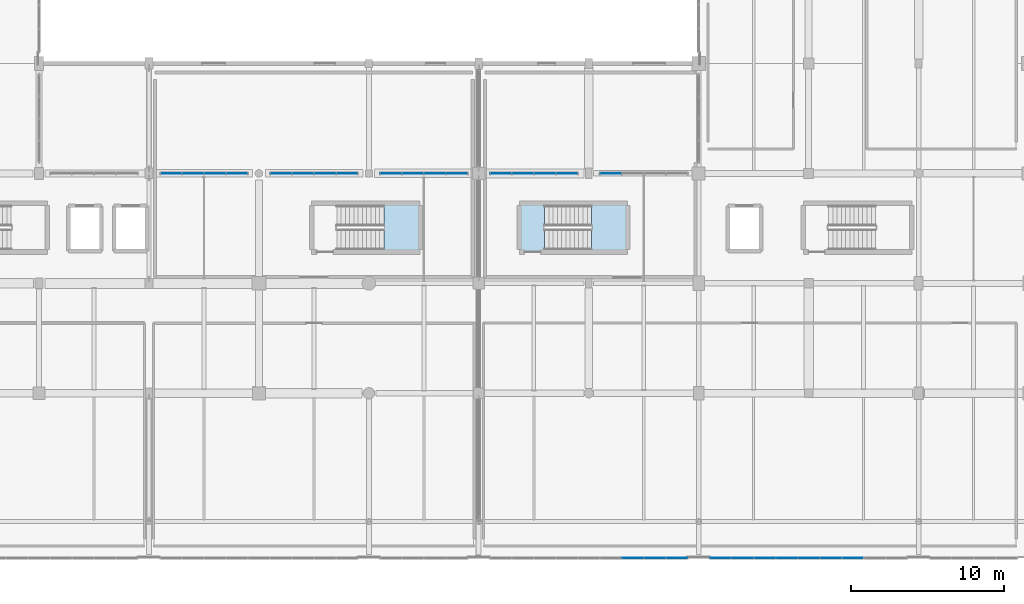
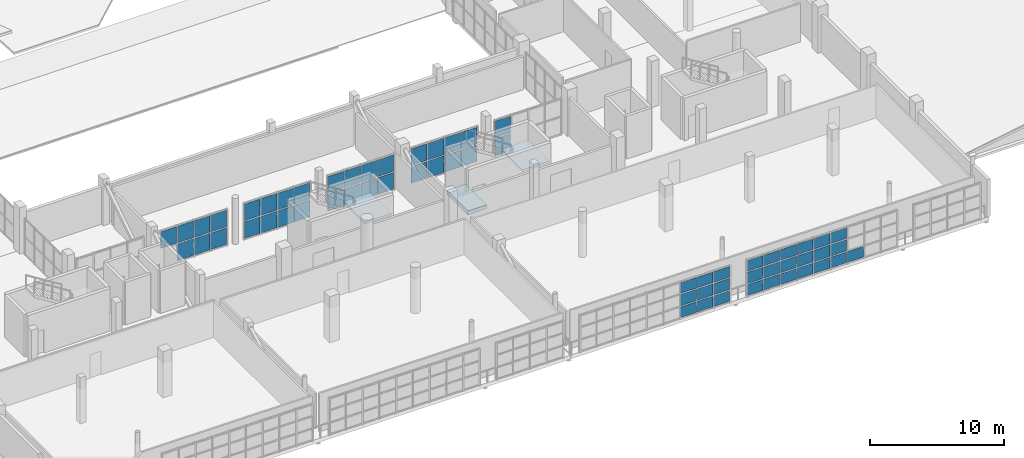
# One storey, part 51 of 90: 61 plates, 3 slabs, 9 elements without a shape of their own.
"""IFC4 building model written with IfcOpenShell, lengths in metres."""

import ifcopenshell
import ifcopenshell.guid

model = None  # the IFC model being written
_history = None  # IfcOwnerHistory: only IFC2X3 demands one
_inside = {}  # id of a spatial element -> (the spatial element, [elements in it])
_under = {}  # id of a project, library or spatial element -> (it, [spatial elements below it])
_declared = {}  # id of a project -> (the project, [libraries it declares])
_typed = {}  # id of a type object -> (the type object, [elements of that type])
_made_of = {}  # id of a material, layer set ... -> (it, [elements and type objects made of it])


def new_model(schema):
    """Start an empty IFC model of exactly this schema.

    Asked for "IFC4X3", IfcOpenShell would pick the latest addendum, in which some entities
    have other attributes; the version numbers below select the first issue.
    IFC2X3 requires an IfcOwnerHistory on every rooted entity: one is made here for all.
    """
    global model, _history
    if schema == "IFC4X3":
        model = ifcopenshell.file(schema_version=(4, 3, 0, 0))
    else:
        model = ifcopenshell.file(schema=schema)
    _inside.clear()
    _under.clear()
    _declared.clear()
    _typed.clear()
    _made_of.clear()
    _history = None
    if model.schema == "IFC2X3":
        org = make("IfcOrganization", Name="unknown")
        user = make(
            "IfcPersonAndOrganization",
            ThePerson=make("IfcPerson", FamilyName="unknown"),
            TheOrganization=org,
        )
        app = make(
            "IfcApplication",
            ApplicationDeveloper=org,
            Version="unknown",
            ApplicationFullName="unknown",
            ApplicationIdentifier="unknown",
        )
        _history = make(
            "IfcOwnerHistory",
            OwningUser=user,
            OwningApplication=app,
            ChangeAction="ADDED",
            CreationDate=0,
        )
    return model


def make(cls, **values):
    """One entity of the class cls with the attributes given. An attribute that is None is left unset."""
    return model.create_entity(
        cls, **{name: value for name, value in values.items() if value is not None}
    )


def rooted(cls, **values):
    """An entity with a GlobalId (a new one), such as an element, a storey or a relation."""
    return make(cls, GlobalId=ifcopenshell.guid.new(), OwnerHistory=_history, **values)


def si_unit(unit_type, name, prefix=None):
    """IfcSIUnit, for example si_unit("LENGTHUNIT", "METRE", prefix="MILLI")."""
    return make("IfcSIUnit", UnitType=unit_type, Prefix=prefix, Name=name)


def assignment(units):
    """IfcUnitAssignment: the units of a project."""
    return None if units is None else make("IfcUnitAssignment", Units=units)


def point(xyz):
    """IfcCartesianPoint."""
    return None if xyz is None else make("IfcCartesianPoint", Coordinates=xyz)


def direction(xyz):
    """IfcDirection."""
    return None if xyz is None else make("IfcDirection", DirectionRatios=xyz)


def frame(location, z_axis=None, x_axis=None):
    """IfcAxis2Placement3D, a coordinate frame: its origin and axes. An axis left out is left unset."""
    return make(
        "IfcAxis2Placement3D",
        Location=point(location),
        Axis=direction(z_axis),
        RefDirection=direction(x_axis),
    )


def frame_2d(location, x_axis=None):
    """IfcAxis2Placement2D, a coordinate frame in the plane: its origin and x axis."""
    return make(
        "IfcAxis2Placement2D", Location=point(location), RefDirection=direction(x_axis)
    )


def origin():
    """The frame at (0, 0, 0) with its axes left unset."""
    return frame((0.0, 0.0, 0.0))


def origin_2d():
    """The frame at (0, 0) in the plane with its x axis left unset."""
    return frame_2d((0.0, 0.0))


def place(relative_to, where):
    """IfcLocalPlacement: puts the frame where relative to a parent placement (None: the world)."""
    return make(
        "IfcLocalPlacement", PlacementRelTo=relative_to, RelativePlacement=where
    )


def context(
    kind, dimensions, precision=None, world=None, true_north=None, identifier=None
):
    """IfcGeometricRepresentationContext, for example the 3D "Model" context."""
    return make(
        "IfcGeometricRepresentationContext",
        ContextIdentifier=identifier,
        ContextType=kind,
        CoordinateSpaceDimension=dimensions,
        Precision=precision,
        WorldCoordinateSystem=world,
        TrueNorth=true_north,
    )


def subcontext(parent, identifier, kind, view, scale=None):
    """IfcGeometricRepresentationSubContext, for example "Body" below "Model"."""
    return make(
        "IfcGeometricRepresentationSubContext",
        ContextIdentifier=identifier,
        ContextType=kind,
        ParentContext=parent,
        TargetScale=scale,
        TargetView=view,
    )


def project(units=None, contexts=None):
    """IfcProject with its units and contexts."""
    return rooted(
        "IfcProject",
        Name="project",
        RepresentationContexts=contexts,
        UnitsInContext=assignment(units),
    )


def spatial(cls, under=None, at=None, **own):
    """A site, building, storey or space (cls), placed at a placement, below another one or the project."""
    s = rooted(cls, ObjectPlacement=at, **own)
    if under is not None:
        _under.setdefault(under.id(), (under, []))[1].append(s)
    return s


def polyline(points):
    """IfcPolyline through the points."""
    return make("IfcPolyline", Points=[point(p) for p in points])


def profile(cls, at=None, kind="AREA", **sizes):
    """A parametric profile (cls). Its sizes go by their IFC names, for example OverallWidth=200.0."""
    return make(cls, ProfileType=kind, Position=at, **sizes)


def rectangle(**sizes):
    """IfcRectangleProfileDef."""
    return profile("IfcRectangleProfileDef", **sizes)


def outline(outer, holes=None, kind="AREA"):
    """IfcArbitraryClosedProfileDef: a profile drawn as a closed curve; with holes, ...WithVoids."""
    if holes is None:
        return make("IfcArbitraryClosedProfileDef", ProfileType=kind, OuterCurve=outer)
    return make(
        "IfcArbitraryProfileDefWithVoids",
        ProfileType=kind,
        OuterCurve=outer,
        InnerCurves=holes,
    )


def extrude(swept, where, along, depth):
    """IfcExtrudedAreaSolid: the profile swept, set in the frame where, extruded along a direction by depth."""
    return make(
        "IfcExtrudedAreaSolid",
        SweptArea=swept,
        Position=where,
        ExtrudedDirection=direction(along),
        Depth=depth,
    )


def shape(context_of_items, identifier, shape_type, items):
    """IfcShapeRepresentation: the items that make up one representation, for example the "Body"."""
    return make(
        "IfcShapeRepresentation",
        ContextOfItems=context_of_items,
        RepresentationIdentifier=identifier,
        RepresentationType=shape_type,
        Items=items,
    )


def material(Name=None, Category=None):
    """IfcMaterial."""
    return make("IfcMaterial", Name=Name, Category=Category)


def layer(
    of_material, thickness, ventilated=None, Name=None, Category=None, Priority=None
):
    """IfcMaterialLayer: one layer of a wall or slab, of a material (None: an air gap)."""
    return make(
        "IfcMaterialLayer",
        Material=of_material,
        LayerThickness=thickness,
        IsVentilated=ventilated,
        Name=Name,
        Category=Category,
        Priority=Priority,
    )


def layer_set(layers, Name=None):
    """IfcMaterialLayerSet."""
    return make("IfcMaterialLayerSet", MaterialLayers=layers, LayerSetName=Name)


def made_of(thing, what):
    """Note that an element or type object is made of a material, layer set ...; save() writes the relation."""
    if what is not None:
        _made_of.setdefault(what.id(), (what, []))[1].append(thing)
    return thing


def type_object(cls, material=None, **own):
    """A type object (cls), such as IfcWallType, which elements share."""
    return made_of(rooted(cls, **own), material)


def element(
    cls,
    number,
    at=None,
    inside=None,
    cuts=None,
    type_object=None,
    material=None,
    context=None,
    identifier="Body",
    shape_type=None,
    held_by="IfcProductDefinitionShape",
    body=None,
    shapes=None,
    **own,
):
    """One element of the class cls, such as IfcWall. Its Tag is "e" and its number.

    at: its placement. inside: the storey or other place that contains it. cuts: it is an
    opening in that element (IfcRelVoidsElement). A single representation is given by context,
    identifier, shape_type and body (its items); several are given by shapes. held_by: the class
    of the entity that holds the representations. save() writes the other relations.
    """
    e = rooted(cls, Tag="e%d" % number, ObjectPlacement=at, **own)
    if body is not None:
        shapes = [shape(context, identifier, shape_type, body)]
    if shapes is not None:
        e.Representation = make(held_by, Representations=shapes)
    if inside is not None:
        _inside.setdefault(inside.id(), (inside, []))[1].append(e)
    if cuts is not None:
        rooted(
            "IfcRelVoidsElement", RelatingBuildingElement=cuts, RelatedOpeningElement=e
        )
    if type_object is not None:
        _typed.setdefault(type_object.id(), (type_object, []))[1].append(e)
    return made_of(e, material)


def aggregate(whole, parts):
    """IfcRelAggregates: a whole, such as a stair, and the parts it consists of."""
    return rooted("IfcRelAggregates", RelatingObject=whole, RelatedObjects=parts)


def save(model, path):
    """Write the relations noted so far, then the file.

    IfcRelAggregates (storeys below a building ...), IfcRelContainedInSpatialStructure (elements
    in a storey), IfcRelDefinesByType, IfcRelAssociatesMaterial and IfcRelDeclares: one each for
    every whole, place, type object, material and project.
    """
    for whole, parts in _under.values():
        aggregate(whole, parts)
    for where, things in _inside.values():
        rooted(
            "IfcRelContainedInSpatialStructure",
            RelatedElements=things,
            RelatingStructure=where,
        )
    for kind, things in _typed.values():
        rooted("IfcRelDefinesByType", RelatedObjects=things, RelatingType=kind)
    for what, things in _made_of.values():
        rooted("IfcRelAssociatesMaterial", RelatedObjects=things, RelatingMaterial=what)
    for by, libraries in _declared.values():
        rooted("IfcRelDeclares", RelatingContext=by, RelatedDefinitions=libraries)
    model.write(path)


model = new_model("IFC4")

# Units and contexts
model_context = context("Model", 3, precision=1e-05, world=origin(), true_north=direction((0.0, 1.0)))
body_context = subcontext(model_context, "Body", "Model", "MODEL_VIEW")
ifc_project = project(units=[si_unit("LENGTHUNIT", "METRE"), si_unit("AREAUNIT", "SQUARE_METRE"), si_unit("VOLUMEUNIT", "CUBIC_METRE"), si_unit("PLANEANGLEUNIT", "RADIAN"), si_unit("MASSUNIT", "GRAM", prefix="KILO")], contexts=[model_context])

# Site, building, storey
site_placement = place(None, origin())
site = spatial("IfcSite", under=ifc_project, at=site_placement, CompositionType="ELEMENT")
building_placement = place(site_placement, origin())
building = spatial("IfcBuilding", under=site, at=building_placement, Name="Solanera Park Tramway Depot", CompositionType="ELEMENT")
storey_placement = place(building_placement, frame((0.0, 0.0, 9.0)))
storey = spatial("IfcBuildingStorey", under=building, at=storey_placement, Name="L02", CompositionType="ELEMENT", Elevation=9.0)

# Curtain wall, plates
ifc_material_1 = material(Name="Bronze-anodised thermally broken aluminium curtain wall", Category="aluminium")
curtain_wall_type_1 = type_object("IfcCurtainWallType", Name="Courtyard Cloister Unitised Curtain Wall", PredefinedType="NOTDEFINED", material=ifc_material_1)
curtain_wall_1_placement = place(storey_placement, origin())
curtain_wall_1 = element("IfcCurtainWall", 1, at=curtain_wall_1_placement, inside=storey, type_object=curtain_wall_type_1, Name="L02 Courtyard Cloister Unitised Curtain Wall #105", PredefinedType="NOTDEFINED")
ifc_material_2 = material(Name="Low-E laminated solar-control double glazing", Category="glass")
ifc_layer_1 = layer(ifc_material_2, 0.028076171875)
ifc_layer_set_1 = layer_set([ifc_layer_1], Name="Low-E laminated solar-control double glazing")
plate_type = type_object("IfcPlateType", Name="Curtain Wall Double Glazing Panel 28", PredefinedType="CURTAIN_PANEL", material=ifc_layer_set_1)
plate_1_placement = place(storey_placement, frame((132.47509765625, 25.199951171875, 0.11181640625), z_axis=(0.0, 0.0, 1.0), x_axis=(1.0, 0.0, 0.0)))
plate_1 = element("IfcPlate", 2, at=plate_1_placement, type_object=plate_type, Name="CW-L02-105 Glazing Panel R1.C2", PredefinedType="CURTAIN_PANEL", context=body_context, shape_type="SweptSolid", body=[
    extrude(rectangle(XDim=1.39794921875, YDim=0.028076171875, at=origin_2d()), origin(), (0.0, 0.0, 1.0), 1.510986328125),
])
plate_2_placement = place(storey_placement, frame((133.925048828125, 25.199951171875, 0.11181640625), z_axis=(0.0, 0.0, 1.0), x_axis=(1.0, 0.0, 0.0)))
plate_2 = element("IfcPlate", 3, at=plate_2_placement, type_object=plate_type, Name="CW-L02-105 Glazing Panel R1.C3", PredefinedType="CURTAIN_PANEL", context=body_context, shape_type="SweptSolid", body=[
    extrude(rectangle(XDim=1.39794921875, YDim=0.028076171875, at=origin_2d()), origin(), (0.0, 0.0, 1.0), 1.510986328125),
])
plate_3_placement = place(storey_placement, frame((135.358642578125, 25.199951171875, 0.11181640625), z_axis=(0.0, 0.0, 1.0), x_axis=(1.0, 0.0, 0.0)))
plate_3 = element("IfcPlate", 4, at=plate_3_placement, type_object=plate_type, Name="CW-L02-105 Glazing Panel R1.C4", PredefinedType="CURTAIN_PANEL", context=body_context, shape_type="SweptSolid", body=[
    extrude(rectangle(XDim=1.365478515625, YDim=0.028076171875, at=origin_2d()), origin(), (0.0, 0.0, 1.0), 1.510986328125),
])
plate_4_placement = place(storey_placement, frame((131.041259765625, 25.199951171875, 1.72705078125), z_axis=(0.0, 0.0, 1.0), x_axis=(1.0, 0.0, 0.0)))
plate_4 = element("IfcPlate", 5, at=plate_4_placement, type_object=plate_type, Name="CW-L02-105 Glazing Panel R2.C1", PredefinedType="CURTAIN_PANEL", context=body_context, shape_type="SweptSolid", body=[
    extrude(rectangle(XDim=1.365478515625, YDim=0.028076171875, at=origin_2d()), origin(), (0.0, 0.0, 1.0), 1.510986328125),
])
plate_5_placement = place(storey_placement, frame((132.47509765625, 25.199951171875, 1.72705078125), z_axis=(0.0, 0.0, 1.0), x_axis=(1.0, 0.0, 0.0)))
plate_5 = element("IfcPlate", 6, at=plate_5_placement, type_object=plate_type, Name="CW-L02-105 Glazing Panel R2.C2", PredefinedType="CURTAIN_PANEL", context=body_context, shape_type="SweptSolid", body=[
    extrude(rectangle(XDim=1.39794921875, YDim=0.028076171875, at=origin_2d()), origin(), (0.0, 0.0, 1.0), 1.510986328125),
])
plate_6_placement = place(storey_placement, frame((133.925048828125, 25.199951171875, 1.72705078125), z_axis=(0.0, 0.0, 1.0), x_axis=(1.0, 0.0, 0.0)))
plate_6 = element("IfcPlate", 7, at=plate_6_placement, type_object=plate_type, Name="CW-L02-105 Glazing Panel R2.C3", PredefinedType="CURTAIN_PANEL", context=body_context, shape_type="SweptSolid", body=[
    extrude(rectangle(XDim=1.39794921875, YDim=0.028076171875, at=origin_2d()), origin(), (0.0, 0.0, 1.0), 1.510986328125),
])
plate_7_placement = place(storey_placement, frame((135.358642578125, 25.199951171875, 1.72705078125), z_axis=(0.0, 0.0, 1.0), x_axis=(1.0, 0.0, 0.0)))
plate_7 = element("IfcPlate", 8, at=plate_7_placement, type_object=plate_type, Name="CW-L02-105 Glazing Panel R2.C4", PredefinedType="CURTAIN_PANEL", context=body_context, shape_type="SweptSolid", body=[
    extrude(rectangle(XDim=1.365478515625, YDim=0.028076171875, at=origin_2d()), origin(), (0.0, 0.0, 1.0), 1.510986328125),
])
aggregate(curtain_wall_1, [plate_1, plate_2, plate_3, plate_4, plate_5, plate_6, plate_7])

curtain_wall_2_placement = place(storey_placement, origin())
curtain_wall_2 = element("IfcCurtainWall", 9, at=curtain_wall_2_placement, inside=storey, type_object=curtain_wall_type_1, Name="L02 Courtyard Cloister Unitised Curtain Wall #106", PredefinedType="NOTDEFINED")
plate_8_placement = place(storey_placement, frame((138.2412109375, 25.199951171875, 0.11181640625), z_axis=(0.0, 0.0, 1.0), x_axis=(1.0, 0.0, 0.0)))
plate_8 = element("IfcPlate", 10, at=plate_8_placement, type_object=plate_type, Name="CW-L02-106 Glazing Panel R1.C1", PredefinedType="CURTAIN_PANEL", context=body_context, shape_type="SweptSolid", body=[
    extrude(rectangle(XDim=1.365478515625, YDim=0.028076171875, at=origin_2d()), origin(), (0.0, 0.0, 1.0), 1.510986328125),
])
plate_9_placement = place(storey_placement, frame((139.675048828125, 25.199951171875, 0.11181640625), z_axis=(0.0, 0.0, 1.0), x_axis=(1.0, 0.0, 0.0)))
plate_9 = element("IfcPlate", 11, at=plate_9_placement, type_object=plate_type, Name="CW-L02-106 Glazing Panel R1.C2", PredefinedType="CURTAIN_PANEL", context=body_context, shape_type="SweptSolid", body=[
    extrude(rectangle(XDim=1.39794921875, YDim=0.028076171875, at=origin_2d()), origin(), (0.0, 0.0, 1.0), 1.510986328125),
])
plate_10_placement = place(storey_placement, frame((141.125, 25.199951171875, 0.11181640625), z_axis=(0.0, 0.0, 1.0), x_axis=(1.0, 0.0, 0.0)))
plate_10 = element("IfcPlate", 12, at=plate_10_placement, type_object=plate_type, Name="CW-L02-106 Glazing Panel R1.C3", PredefinedType="CURTAIN_PANEL", context=body_context, shape_type="SweptSolid", body=[
    extrude(rectangle(XDim=1.39794921875, YDim=0.028076171875, at=origin_2d()), origin(), (0.0, 0.0, 1.0), 1.510986328125),
])
plate_11_placement = place(storey_placement, frame((142.558837890625, 25.199951171875, 0.11181640625), z_axis=(0.0, 0.0, 1.0), x_axis=(1.0, 0.0, 0.0)))
plate_11 = element("IfcPlate", 13, at=plate_11_placement, type_object=plate_type, Name="CW-L02-106 Glazing Panel R1.C4", PredefinedType="CURTAIN_PANEL", context=body_context, shape_type="SweptSolid", body=[
    extrude(rectangle(XDim=1.365478515625, YDim=0.028076171875, at=origin_2d()), origin(), (0.0, 0.0, 1.0), 1.510986328125),
])
plate_12_placement = place(storey_placement, frame((138.2412109375, 25.199951171875, 1.72705078125), z_axis=(0.0, 0.0, 1.0), x_axis=(1.0, 0.0, 0.0)))
plate_12 = element("IfcPlate", 14, at=plate_12_placement, type_object=plate_type, Name="CW-L02-106 Glazing Panel R2.C1", PredefinedType="CURTAIN_PANEL", context=body_context, shape_type="SweptSolid", body=[
    extrude(rectangle(XDim=1.365478515625, YDim=0.028076171875, at=origin_2d()), origin(), (0.0, 0.0, 1.0), 1.510986328125),
])
plate_13_placement = place(storey_placement, frame((139.675048828125, 25.199951171875, 1.72705078125), z_axis=(0.0, 0.0, 1.0), x_axis=(1.0, 0.0, 0.0)))
plate_13 = element("IfcPlate", 15, at=plate_13_placement, type_object=plate_type, Name="CW-L02-106 Glazing Panel R2.C2", PredefinedType="CURTAIN_PANEL", context=body_context, shape_type="SweptSolid", body=[
    extrude(rectangle(XDim=1.39794921875, YDim=0.028076171875, at=origin_2d()), origin(), (0.0, 0.0, 1.0), 1.510986328125),
])
plate_14_placement = place(storey_placement, frame((141.125, 25.199951171875, 1.72705078125), z_axis=(0.0, 0.0, 1.0), x_axis=(1.0, 0.0, 0.0)))
plate_14 = element("IfcPlate", 16, at=plate_14_placement, type_object=plate_type, Name="CW-L02-106 Glazing Panel R2.C3", PredefinedType="CURTAIN_PANEL", context=body_context, shape_type="SweptSolid", body=[
    extrude(rectangle(XDim=1.39794921875, YDim=0.028076171875, at=origin_2d()), origin(), (0.0, 0.0, 1.0), 1.510986328125),
])
plate_15_placement = place(storey_placement, frame((142.558837890625, 25.199951171875, 1.72705078125), z_axis=(0.0, 0.0, 1.0), x_axis=(1.0, 0.0, 0.0)))
plate_15 = element("IfcPlate", 17, at=plate_15_placement, type_object=plate_type, Name="CW-L02-106 Glazing Panel R2.C4", PredefinedType="CURTAIN_PANEL", context=body_context, shape_type="SweptSolid", body=[
    extrude(rectangle(XDim=1.365478515625, YDim=0.028076171875, at=origin_2d()), origin(), (0.0, 0.0, 1.0), 1.510986328125),
])
aggregate(curtain_wall_2, [plate_8, plate_9, plate_10, plate_11, plate_12, plate_13, plate_14, plate_15])

curtain_wall_3_placement = place(storey_placement, origin())
curtain_wall_3 = element("IfcCurtainWall", 18, at=curtain_wall_3_placement, inside=storey, type_object=curtain_wall_type_1, Name="L02 Courtyard Cloister Unitised Curtain Wall #107", PredefinedType="NOTDEFINED")
plate_16_placement = place(storey_placement, frame((145.441162109375, 25.199951171875, 0.11181640625), z_axis=(0.0, 0.0, 1.0), x_axis=(1.0, 0.0, 0.0)))
plate_16 = element("IfcPlate", 19, at=plate_16_placement, type_object=plate_type, Name="CW-L02-107 Glazing Panel R1.C1", PredefinedType="CURTAIN_PANEL", context=body_context, shape_type="SweptSolid", body=[
    extrude(rectangle(XDim=1.365478515625, YDim=0.028076171875, at=origin_2d()), origin(), (0.0, 0.0, 1.0), 1.510986328125),
])
plate_17_placement = place(storey_placement, frame((146.875, 25.199951171875, 0.11181640625), z_axis=(0.0, 0.0, 1.0), x_axis=(1.0, 0.0, 0.0)))
plate_17 = element("IfcPlate", 20, at=plate_17_placement, type_object=plate_type, Name="CW-L02-107 Glazing Panel R1.C2", PredefinedType="CURTAIN_PANEL", context=body_context, shape_type="SweptSolid", body=[
    extrude(rectangle(XDim=1.39794921875, YDim=0.028076171875, at=origin_2d()), origin(), (0.0, 0.0, 1.0), 1.510986328125),
])
plate_18_placement = place(storey_placement, frame((148.324951171875, 25.199951171875, 0.11181640625), z_axis=(0.0, 0.0, 1.0), x_axis=(1.0, 0.0, 0.0)))
plate_18 = element("IfcPlate", 21, at=plate_18_placement, type_object=plate_type, Name="CW-L02-107 Glazing Panel R1.C3", PredefinedType="CURTAIN_PANEL", context=body_context, shape_type="SweptSolid", body=[
    extrude(rectangle(XDim=1.39794921875, YDim=0.028076171875, at=origin_2d()), origin(), (0.0, 0.0, 1.0), 1.510986328125),
])
plate_19_placement = place(storey_placement, frame((149.7587890625, 25.199951171875, 0.11181640625), z_axis=(0.0, 0.0, 1.0), x_axis=(1.0, 0.0, 0.0)))
plate_19 = element("IfcPlate", 22, at=plate_19_placement, type_object=plate_type, Name="CW-L02-107 Glazing Panel R1.C4", PredefinedType="CURTAIN_PANEL", context=body_context, shape_type="SweptSolid", body=[
    extrude(rectangle(XDim=1.365478515625, YDim=0.028076171875, at=origin_2d()), origin(), (0.0, 0.0, 1.0), 1.510986328125),
])
plate_20_placement = place(storey_placement, frame((145.441162109375, 25.199951171875, 1.72705078125), z_axis=(0.0, 0.0, 1.0), x_axis=(1.0, 0.0, 0.0)))
plate_20 = element("IfcPlate", 23, at=plate_20_placement, type_object=plate_type, Name="CW-L02-107 Glazing Panel R2.C1", PredefinedType="CURTAIN_PANEL", context=body_context, shape_type="SweptSolid", body=[
    extrude(rectangle(XDim=1.365478515625, YDim=0.028076171875, at=origin_2d()), origin(), (0.0, 0.0, 1.0), 1.510986328125),
])
plate_21_placement = place(storey_placement, frame((146.875, 25.199951171875, 1.72705078125), z_axis=(0.0, 0.0, 1.0), x_axis=(1.0, 0.0, 0.0)))
plate_21 = element("IfcPlate", 24, at=plate_21_placement, type_object=plate_type, Name="CW-L02-107 Glazing Panel R2.C2", PredefinedType="CURTAIN_PANEL", context=body_context, shape_type="SweptSolid", body=[
    extrude(rectangle(XDim=1.39794921875, YDim=0.028076171875, at=origin_2d()), origin(), (0.0, 0.0, 1.0), 1.510986328125),
])
plate_22_placement = place(storey_placement, frame((148.324951171875, 25.199951171875, 1.72705078125), z_axis=(0.0, 0.0, 1.0), x_axis=(1.0, 0.0, 0.0)))
plate_22 = element("IfcPlate", 25, at=plate_22_placement, type_object=plate_type, Name="CW-L02-107 Glazing Panel R2.C3", PredefinedType="CURTAIN_PANEL", context=body_context, shape_type="SweptSolid", body=[
    extrude(rectangle(XDim=1.39794921875, YDim=0.028076171875, at=origin_2d()), origin(), (0.0, 0.0, 1.0), 1.510986328125),
])
plate_23_placement = place(storey_placement, frame((149.7587890625, 25.199951171875, 1.72705078125), z_axis=(0.0, 0.0, 1.0), x_axis=(1.0, 0.0, 0.0)))
plate_23 = element("IfcPlate", 26, at=plate_23_placement, type_object=plate_type, Name="CW-L02-107 Glazing Panel R2.C4", PredefinedType="CURTAIN_PANEL", context=body_context, shape_type="SweptSolid", body=[
    extrude(rectangle(XDim=1.365478515625, YDim=0.028076171875, at=origin_2d()), origin(), (0.0, 0.0, 1.0), 1.510986328125),
])
aggregate(curtain_wall_3, [plate_16, plate_17, plate_18, plate_19, plate_20, plate_21, plate_22, plate_23])

curtain_wall_4_placement = place(storey_placement, origin())
curtain_wall_4 = element("IfcCurtainWall", 27, at=curtain_wall_4_placement, inside=storey, type_object=curtain_wall_type_1, Name="L02 Courtyard Cloister Unitised Curtain Wall #108", PredefinedType="NOTDEFINED")
plate_24_placement = place(storey_placement, frame((152.641357421875, 25.199951171875, 0.11181640625), z_axis=(0.0, 0.0, 1.0), x_axis=(1.0, 0.0, 0.0)))
plate_24 = element("IfcPlate", 28, at=plate_24_placement, type_object=plate_type, Name="CW-L02-108 Glazing Panel R1.C1", PredefinedType="CURTAIN_PANEL", context=body_context, shape_type="SweptSolid", body=[
    extrude(rectangle(XDim=1.365478515625, YDim=0.028076171875, at=origin_2d()), origin(), (0.0, 0.0, 1.0), 1.510986328125),
])
plate_25_placement = place(storey_placement, frame((154.074951171875, 25.199951171875, 0.11181640625), z_axis=(0.0, 0.0, 1.0), x_axis=(1.0, 0.0, 0.0)))
plate_25 = element("IfcPlate", 29, at=plate_25_placement, type_object=plate_type, Name="CW-L02-108 Glazing Panel R1.C2", PredefinedType="CURTAIN_PANEL", context=body_context, shape_type="SweptSolid", body=[
    extrude(rectangle(XDim=1.39794921875, YDim=0.028076171875, at=origin_2d()), origin(), (0.0, 0.0, 1.0), 1.510986328125),
])
plate_26_placement = place(storey_placement, frame((155.52490234375, 25.199951171875, 0.11181640625), z_axis=(0.0, 0.0, 1.0), x_axis=(1.0, 0.0, 0.0)))
plate_26 = element("IfcPlate", 30, at=plate_26_placement, type_object=plate_type, Name="CW-L02-108 Glazing Panel R1.C3", PredefinedType="CURTAIN_PANEL", context=body_context, shape_type="SweptSolid", body=[
    extrude(rectangle(XDim=1.39794921875, YDim=0.028076171875, at=origin_2d()), origin(), (0.0, 0.0, 1.0), 1.510986328125),
])
plate_27_placement = place(storey_placement, frame((156.958740234375, 25.199951171875, 0.11181640625), z_axis=(0.0, 0.0, 1.0), x_axis=(1.0, 0.0, 0.0)))
plate_27 = element("IfcPlate", 31, at=plate_27_placement, type_object=plate_type, Name="CW-L02-108 Glazing Panel R1.C4", PredefinedType="CURTAIN_PANEL", context=body_context, shape_type="SweptSolid", body=[
    extrude(rectangle(XDim=1.365478515625, YDim=0.028076171875, at=origin_2d()), origin(), (0.0, 0.0, 1.0), 1.510986328125),
])
plate_28_placement = place(storey_placement, frame((152.641357421875, 25.199951171875, 1.72705078125), z_axis=(0.0, 0.0, 1.0), x_axis=(1.0, 0.0, 0.0)))
plate_28 = element("IfcPlate", 32, at=plate_28_placement, type_object=plate_type, Name="CW-L02-108 Glazing Panel R2.C1", PredefinedType="CURTAIN_PANEL", context=body_context, shape_type="SweptSolid", body=[
    extrude(rectangle(XDim=1.365478515625, YDim=0.028076171875, at=origin_2d()), origin(), (0.0, 0.0, 1.0), 1.510986328125),
])
plate_29_placement = place(storey_placement, frame((154.074951171875, 25.199951171875, 1.72705078125), z_axis=(0.0, 0.0, 1.0), x_axis=(1.0, 0.0, 0.0)))
plate_29 = element("IfcPlate", 33, at=plate_29_placement, type_object=plate_type, Name="CW-L02-108 Glazing Panel R2.C2", PredefinedType="CURTAIN_PANEL", context=body_context, shape_type="SweptSolid", body=[
    extrude(rectangle(XDim=1.39794921875, YDim=0.028076171875, at=origin_2d()), origin(), (0.0, 0.0, 1.0), 1.510986328125),
])
plate_30_placement = place(storey_placement, frame((155.52490234375, 25.199951171875, 1.72705078125), z_axis=(0.0, 0.0, 1.0), x_axis=(1.0, 0.0, 0.0)))
plate_30 = element("IfcPlate", 34, at=plate_30_placement, type_object=plate_type, Name="CW-L02-108 Glazing Panel R2.C3", PredefinedType="CURTAIN_PANEL", context=body_context, shape_type="SweptSolid", body=[
    extrude(rectangle(XDim=1.39794921875, YDim=0.028076171875, at=origin_2d()), origin(), (0.0, 0.0, 1.0), 1.510986328125),
])
plate_31_placement = place(storey_placement, frame((156.958740234375, 25.199951171875, 1.72705078125), z_axis=(0.0, 0.0, 1.0), x_axis=(1.0, 0.0, 0.0)))
plate_31 = element("IfcPlate", 35, at=plate_31_placement, type_object=plate_type, Name="CW-L02-108 Glazing Panel R2.C4", PredefinedType="CURTAIN_PANEL", context=body_context, shape_type="SweptSolid", body=[
    extrude(rectangle(XDim=1.365478515625, YDim=0.028076171875, at=origin_2d()), origin(), (0.0, 0.0, 1.0), 1.510986328125),
])
aggregate(curtain_wall_4, [plate_24, plate_25, plate_26, plate_27, plate_28, plate_29, plate_30, plate_31])

curtain_wall_5_placement = place(storey_placement, origin())
curtain_wall_5 = element("IfcCurtainWall", 36, at=curtain_wall_5_placement, inside=storey, type_object=curtain_wall_type_1, Name="L02 Courtyard Cloister Unitised Curtain Wall #109", PredefinedType="NOTDEFINED")
plate_32_placement = place(storey_placement, frame((159.84130859375, 25.199951171875, 0.11181640625), z_axis=(0.0, 0.0, 1.0), x_axis=(1.0, 0.0, 0.0)))
plate_32 = element("IfcPlate", 37, at=plate_32_placement, type_object=plate_type, Name="CW-L02-109 Glazing Panel R1.C1", PredefinedType="CURTAIN_PANEL", context=body_context, shape_type="SweptSolid", body=[
    extrude(rectangle(XDim=1.365478515625, YDim=0.028076171875, at=origin_2d()), origin(), (0.0, 0.0, 1.0), 1.510986328125),
])
plate_33_placement = place(storey_placement, frame((159.84130859375, 25.199951171875, 1.72705078125), z_axis=(0.0, 0.0, 1.0), x_axis=(1.0, 0.0, 0.0)))
plate_33 = element("IfcPlate", 38, at=plate_33_placement, type_object=plate_type, Name="CW-L02-109 Glazing Panel R2.C1", PredefinedType="CURTAIN_PANEL", context=body_context, shape_type="SweptSolid", body=[
    extrude(rectangle(XDim=1.365478515625, YDim=0.028076171875, at=origin_2d()), origin(), (0.0, 0.0, 1.0), 1.510986328125),
])
aggregate(curtain_wall_5, [plate_32, plate_33])

ifc_material_3 = material(Name="Bronze-anodised thermally broken aluminium curtain wall", Category="aluminium")
curtain_wall_type_2 = type_object("IfcCurtainWallType", Name="Cantilevered OCC Inclined Glazing Wall", PredefinedType="NOTDEFINED", material=ifc_material_3)
curtain_wall_6_placement = place(storey_placement, origin())
curtain_wall_6 = element("IfcCurtainWall", 39, at=curtain_wall_6_placement, inside=storey, type_object=curtain_wall_type_2, Name="L02 Cantilevered OCC Inclined Glazing Wall #118", PredefinedType="NOTDEFINED")
plate_34_placement = place(storey_placement, frame((161.288818359375, 0.0, 0.112060546875), z_axis=(0.0, 0.0, 1.0), x_axis=(1.0, 0.0, 0.0)))
plate_34 = element("IfcPlate", 40, at=plate_34_placement, type_object=plate_type, Name="CW-L02-118 Glazing Panel R1.C7", PredefinedType="CURTAIN_PANEL", context=body_context, shape_type="SweptSolid", body=[
    extrude(rectangle(XDim=1.392333984375, YDim=0.028076171875, at=origin_2d()), origin(), (0.0, 0.0, 1.0), 0.96923828125),
])
plate_35_placement = place(storey_placement, frame((162.7333984375, 0.0, 0.112060546875), z_axis=(0.0, 0.0, 1.0), x_axis=(1.0, 0.0, 0.0)))
plate_35 = element("IfcPlate", 41, at=plate_35_placement, type_object=plate_type, Name="CW-L02-118 Glazing Panel R1.C8", PredefinedType="CURTAIN_PANEL", context=body_context, shape_type="SweptSolid", body=[
    extrude(rectangle(XDim=1.392333984375, YDim=0.028076171875, at=origin_2d()), origin(), (0.0, 0.0, 1.0), 0.96923828125),
])
plate_36_placement = place(storey_placement, frame((164.16162109375, 0.0, 0.112060546875), z_axis=(0.0, 0.0, 1.0), x_axis=(1.0, 0.0, 0.0)))
plate_36 = element("IfcPlate", 42, at=plate_36_placement, type_object=plate_type, Name="CW-L02-118 Glazing Panel R1.C9", PredefinedType="CURTAIN_PANEL", context=body_context, shape_type="SweptSolid", body=[
    extrude(rectangle(XDim=1.35986328125, YDim=0.028076171875, at=origin_2d()), origin(), (0.0, 0.0, 1.0), 0.96923828125),
])
plate_37_placement = place(storey_placement, frame((161.288818359375, 0.0, 1.185302734375), z_axis=(0.0, 0.0, 1.0), x_axis=(1.0, 0.0, 0.0)))
plate_37 = element("IfcPlate", 43, at=plate_37_placement, type_object=plate_type, Name="CW-L02-118 Glazing Panel R2.C7", PredefinedType="CURTAIN_PANEL", context=body_context, shape_type="SweptSolid", body=[
    extrude(rectangle(XDim=1.392333984375, YDim=0.028076171875, at=origin_2d()), origin(), (0.0, 0.0, 1.0), 1.029296875),
])
plate_38_placement = place(storey_placement, frame((162.7333984375, 0.0, 1.185302734375), z_axis=(0.0, 0.0, 1.0), x_axis=(1.0, 0.0, 0.0)))
plate_38 = element("IfcPlate", 44, at=plate_38_placement, type_object=plate_type, Name="CW-L02-118 Glazing Panel R2.C8", PredefinedType="CURTAIN_PANEL", context=body_context, shape_type="SweptSolid", body=[
    extrude(rectangle(XDim=1.392333984375, YDim=0.028076171875, at=origin_2d()), origin(), (0.0, 0.0, 1.0), 1.029296875),
])
plate_39_placement = place(storey_placement, frame((164.16162109375, 0.0, 1.185302734375), z_axis=(0.0, 0.0, 1.0), x_axis=(1.0, 0.0, 0.0)))
plate_39 = element("IfcPlate", 45, at=plate_39_placement, type_object=plate_type, Name="CW-L02-118 Glazing Panel R2.C9", PredefinedType="CURTAIN_PANEL", context=body_context, shape_type="SweptSolid", body=[
    extrude(rectangle(XDim=1.35986328125, YDim=0.028076171875, at=origin_2d()), origin(), (0.0, 0.0, 1.0), 1.029296875),
])
plate_40_placement = place(storey_placement, frame((161.288818359375, 0.0, 2.31884765625), z_axis=(0.0, 0.0, 1.0), x_axis=(1.0, 0.0, 0.0)))
plate_40 = element("IfcPlate", 46, at=plate_40_placement, type_object=plate_type, Name="CW-L02-118 Glazing Panel R3.C7", PredefinedType="CURTAIN_PANEL", context=body_context, shape_type="SweptSolid", body=[
    extrude(rectangle(XDim=1.392333984375, YDim=0.028076171875, at=origin_2d()), origin(), (0.0, 0.0, 1.0), 0.96923828125),
])
plate_41_placement = place(storey_placement, frame((162.7333984375, 0.0, 2.31884765625), z_axis=(0.0, 0.0, 1.0), x_axis=(1.0, 0.0, 0.0)))
plate_41 = element("IfcPlate", 47, at=plate_41_placement, type_object=plate_type, Name="CW-L02-118 Glazing Panel R3.C8", PredefinedType="CURTAIN_PANEL", context=body_context, shape_type="SweptSolid", body=[
    extrude(rectangle(XDim=1.392333984375, YDim=0.028076171875, at=origin_2d()), origin(), (0.0, 0.0, 1.0), 0.96923828125),
])
plate_42_placement = place(storey_placement, frame((164.16162109375, 0.0, 2.31884765625), z_axis=(0.0, 0.0, 1.0), x_axis=(1.0, 0.0, 0.0)))
plate_42 = element("IfcPlate", 48, at=plate_42_placement, type_object=plate_type, Name="CW-L02-118 Glazing Panel R3.C9", PredefinedType="CURTAIN_PANEL", context=body_context, shape_type="SweptSolid", body=[
    extrude(rectangle(XDim=1.35986328125, YDim=0.028076171875, at=origin_2d()), origin(), (0.0, 0.0, 1.0), 0.96923828125),
])
aggregate(curtain_wall_6, [plate_34, plate_35, plate_36, plate_37, plate_38, plate_39, plate_40, plate_41, plate_42])

curtain_wall_7_placement = place(storey_placement, origin())
curtain_wall_7 = element("IfcCurtainWall", 49, at=curtain_wall_7_placement, inside=storey, type_object=curtain_wall_type_2, Name="L02 Cantilevered OCC Inclined Glazing Wall #119", PredefinedType="NOTDEFINED")
plate_43_placement = place(storey_placement, frame((167.03857421875, 0.0, 0.112060546875), z_axis=(0.0, 0.0, 1.0), x_axis=(1.0, 0.0, 0.0)))
plate_43 = element("IfcPlate", 50, at=plate_43_placement, type_object=plate_type, Name="CW-L02-119 Glazing Panel R1.C1", PredefinedType="CURTAIN_PANEL", context=body_context, shape_type="SweptSolid", body=[
    extrude(rectangle(XDim=1.35986328125, YDim=0.028076171875, at=origin_2d()), origin(), (0.0, 0.0, 1.0), 0.96923828125),
])
plate_44_placement = place(storey_placement, frame((168.466796875, 0.0, 0.112060546875), z_axis=(0.0, 0.0, 1.0), x_axis=(1.0, 0.0, 0.0)))
plate_44 = element("IfcPlate", 51, at=plate_44_placement, type_object=plate_type, Name="CW-L02-119 Glazing Panel R1.C2", PredefinedType="CURTAIN_PANEL", context=body_context, shape_type="SweptSolid", body=[
    extrude(rectangle(XDim=1.392333984375, YDim=0.028076171875, at=origin_2d()), origin(), (0.0, 0.0, 1.0), 0.96923828125),
])
plate_45_placement = place(storey_placement, frame((169.9111328125, 0.0, 0.112060546875), z_axis=(0.0, 0.0, 1.0), x_axis=(1.0, 0.0, 0.0)))
plate_45 = element("IfcPlate", 52, at=plate_45_placement, type_object=plate_type, Name="CW-L02-119 Glazing Panel R1.C3", PredefinedType="CURTAIN_PANEL", context=body_context, shape_type="SweptSolid", body=[
    extrude(rectangle(XDim=1.392333984375, YDim=0.028076171875, at=origin_2d()), origin(), (0.0, 0.0, 1.0), 0.96923828125),
])
plate_46_placement = place(storey_placement, frame((171.355712890625, 0.0, 0.112060546875), z_axis=(0.0, 0.0, 1.0), x_axis=(1.0, 0.0, 0.0)))
plate_46 = element("IfcPlate", 53, at=plate_46_placement, type_object=plate_type, Name="CW-L02-119 Glazing Panel R1.C4", PredefinedType="CURTAIN_PANEL", context=body_context, shape_type="SweptSolid", body=[
    extrude(rectangle(XDim=1.392333984375, YDim=0.028076171875, at=origin_2d()), origin(), (0.0, 0.0, 1.0), 0.96923828125),
])
plate_47_placement = place(storey_placement, frame((172.800048828125, 0.0, 0.112060546875), z_axis=(0.0, 0.0, 1.0), x_axis=(1.0, 0.0, 0.0)))
plate_47 = element("IfcPlate", 54, at=plate_47_placement, type_object=plate_type, Name="CW-L02-119 Glazing Panel R1.C5", PredefinedType="CURTAIN_PANEL", context=body_context, shape_type="SweptSolid", body=[
    extrude(rectangle(XDim=1.392333984375, YDim=0.028076171875, at=origin_2d()), origin(), (0.0, 0.0, 1.0), 0.96923828125),
])
plate_48_placement = place(storey_placement, frame((174.244384765625, 0.0, 0.112060546875), z_axis=(0.0, 0.0, 1.0), x_axis=(1.0, 0.0, 0.0)))
plate_48 = element("IfcPlate", 55, at=plate_48_placement, type_object=plate_type, Name="CW-L02-119 Glazing Panel R1.C6", PredefinedType="CURTAIN_PANEL", context=body_context, shape_type="SweptSolid", body=[
    extrude(rectangle(XDim=1.392333984375, YDim=0.028076171875, at=origin_2d()), origin(), (0.0, 0.0, 1.0), 0.96923828125),
])
plate_49_placement = place(storey_placement, frame((175.68896484375, 0.0, 0.112060546875), z_axis=(0.0, 0.0, 1.0), x_axis=(1.0, 0.0, 0.0)))
plate_49 = element("IfcPlate", 56, at=plate_49_placement, type_object=plate_type, Name="CW-L02-119 Glazing Panel R1.C7", PredefinedType="CURTAIN_PANEL", context=body_context, shape_type="SweptSolid", body=[
    extrude(rectangle(XDim=1.392333984375, YDim=0.028076171875, at=origin_2d()), origin(), (0.0, 0.0, 1.0), 0.96923828125),
])
plate_50_placement = place(storey_placement, frame((167.03857421875, 0.0, 1.185302734375), z_axis=(0.0, 0.0, 1.0), x_axis=(1.0, 0.0, 0.0)))
plate_50 = element("IfcPlate", 57, at=plate_50_placement, type_object=plate_type, Name="CW-L02-119 Glazing Panel R2.C1", PredefinedType="CURTAIN_PANEL", context=body_context, shape_type="SweptSolid", body=[
    extrude(rectangle(XDim=1.35986328125, YDim=0.028076171875, at=origin_2d()), origin(), (0.0, 0.0, 1.0), 1.029296875),
])
plate_51_placement = place(storey_placement, frame((168.466796875, 0.0, 1.185302734375), z_axis=(0.0, 0.0, 1.0), x_axis=(1.0, 0.0, 0.0)))
plate_51 = element("IfcPlate", 58, at=plate_51_placement, type_object=plate_type, Name="CW-L02-119 Glazing Panel R2.C2", PredefinedType="CURTAIN_PANEL", context=body_context, shape_type="SweptSolid", body=[
    extrude(rectangle(XDim=1.392333984375, YDim=0.028076171875, at=origin_2d()), origin(), (0.0, 0.0, 1.0), 1.029296875),
])
plate_52_placement = place(storey_placement, frame((169.9111328125, 0.0, 1.185302734375), z_axis=(0.0, 0.0, 1.0), x_axis=(1.0, 0.0, 0.0)))
plate_52 = element("IfcPlate", 59, at=plate_52_placement, type_object=plate_type, Name="CW-L02-119 Glazing Panel R2.C3", PredefinedType="CURTAIN_PANEL", context=body_context, shape_type="SweptSolid", body=[
    extrude(rectangle(XDim=1.392333984375, YDim=0.028076171875, at=origin_2d()), origin(), (0.0, 0.0, 1.0), 1.029296875),
])
plate_53_placement = place(storey_placement, frame((171.355712890625, 0.0, 1.185302734375), z_axis=(0.0, 0.0, 1.0), x_axis=(1.0, 0.0, 0.0)))
plate_53 = element("IfcPlate", 60, at=plate_53_placement, type_object=plate_type, Name="CW-L02-119 Glazing Panel R2.C4", PredefinedType="CURTAIN_PANEL", context=body_context, shape_type="SweptSolid", body=[
    extrude(rectangle(XDim=1.392333984375, YDim=0.028076171875, at=origin_2d()), origin(), (0.0, 0.0, 1.0), 1.029296875),
])
plate_54_placement = place(storey_placement, frame((172.800048828125, 0.0, 1.185302734375), z_axis=(0.0, 0.0, 1.0), x_axis=(1.0, 0.0, 0.0)))
plate_54 = element("IfcPlate", 61, at=plate_54_placement, type_object=plate_type, Name="CW-L02-119 Glazing Panel R2.C5", PredefinedType="CURTAIN_PANEL", context=body_context, shape_type="SweptSolid", body=[
    extrude(rectangle(XDim=1.392333984375, YDim=0.028076171875, at=origin_2d()), origin(), (0.0, 0.0, 1.0), 1.029296875),
])
plate_55_placement = place(storey_placement, frame((174.244384765625, 0.0, 1.185302734375), z_axis=(0.0, 0.0, 1.0), x_axis=(1.0, 0.0, 0.0)))
plate_55 = element("IfcPlate", 62, at=plate_55_placement, type_object=plate_type, Name="CW-L02-119 Glazing Panel R2.C6", PredefinedType="CURTAIN_PANEL", context=body_context, shape_type="SweptSolid", body=[
    extrude(rectangle(XDim=1.392333984375, YDim=0.028076171875, at=origin_2d()), origin(), (0.0, 0.0, 1.0), 1.029296875),
])
plate_56_placement = place(storey_placement, frame((167.03857421875, 0.0, 2.31884765625), z_axis=(0.0, 0.0, 1.0), x_axis=(1.0, 0.0, 0.0)))
plate_56 = element("IfcPlate", 63, at=plate_56_placement, type_object=plate_type, Name="CW-L02-119 Glazing Panel R3.C1", PredefinedType="CURTAIN_PANEL", context=body_context, shape_type="SweptSolid", body=[
    extrude(rectangle(XDim=1.35986328125, YDim=0.028076171875, at=origin_2d()), origin(), (0.0, 0.0, 1.0), 0.96923828125),
])
plate_57_placement = place(storey_placement, frame((168.466796875, 0.0, 2.31884765625), z_axis=(0.0, 0.0, 1.0), x_axis=(1.0, 0.0, 0.0)))
plate_57 = element("IfcPlate", 64, at=plate_57_placement, type_object=plate_type, Name="CW-L02-119 Glazing Panel R3.C2", PredefinedType="CURTAIN_PANEL", context=body_context, shape_type="SweptSolid", body=[
    extrude(rectangle(XDim=1.392333984375, YDim=0.028076171875, at=origin_2d()), origin(), (0.0, 0.0, 1.0), 0.96923828125),
])
plate_58_placement = place(storey_placement, frame((169.9111328125, 0.0, 2.31884765625), z_axis=(0.0, 0.0, 1.0), x_axis=(1.0, 0.0, 0.0)))
plate_58 = element("IfcPlate", 65, at=plate_58_placement, type_object=plate_type, Name="CW-L02-119 Glazing Panel R3.C3", PredefinedType="CURTAIN_PANEL", context=body_context, shape_type="SweptSolid", body=[
    extrude(rectangle(XDim=1.392333984375, YDim=0.028076171875, at=origin_2d()), origin(), (0.0, 0.0, 1.0), 0.96923828125),
])
plate_59_placement = place(storey_placement, frame((171.355712890625, 0.0, 2.31884765625), z_axis=(0.0, 0.0, 1.0), x_axis=(1.0, 0.0, 0.0)))
plate_59 = element("IfcPlate", 66, at=plate_59_placement, type_object=plate_type, Name="CW-L02-119 Glazing Panel R3.C4", PredefinedType="CURTAIN_PANEL", context=body_context, shape_type="SweptSolid", body=[
    extrude(rectangle(XDim=1.392333984375, YDim=0.028076171875, at=origin_2d()), origin(), (0.0, 0.0, 1.0), 0.96923828125),
])
plate_60_placement = place(storey_placement, frame((172.800048828125, 0.0, 2.31884765625), z_axis=(0.0, 0.0, 1.0), x_axis=(1.0, 0.0, 0.0)))
plate_60 = element("IfcPlate", 67, at=plate_60_placement, type_object=plate_type, Name="CW-L02-119 Glazing Panel R3.C5", PredefinedType="CURTAIN_PANEL", context=body_context, shape_type="SweptSolid", body=[
    extrude(rectangle(XDim=1.392333984375, YDim=0.028076171875, at=origin_2d()), origin(), (0.0, 0.0, 1.0), 0.96923828125),
])
plate_61_placement = place(storey_placement, frame((174.244384765625, 0.0, 2.31884765625), z_axis=(0.0, 0.0, 1.0), x_axis=(1.0, 0.0, 0.0)))
plate_61 = element("IfcPlate", 68, at=plate_61_placement, type_object=plate_type, Name="CW-L02-119 Glazing Panel R3.C6", PredefinedType="CURTAIN_PANEL", context=body_context, shape_type="SweptSolid", body=[
    extrude(rectangle(XDim=1.392333984375, YDim=0.028076171875, at=origin_2d()), origin(), (0.0, 0.0, 1.0), 0.96923828125),
])
aggregate(curtain_wall_7, [plate_43, plate_44, plate_45, plate_46, plate_47, plate_48, plate_49, plate_50, plate_51, plate_52, plate_53, plate_54, plate_55, plate_56, plate_57, plate_58, plate_59, plate_60, plate_61])

# Slab
ifc_material_4 = material(Name="Concrete N40 (C40/50)", Category="concrete")
ifc_layer_2 = layer(ifc_material_4, 0.360107421875)
ifc_layer_set_2 = layer_set([ifc_layer_2], Name="Concrete N40 (C40/50)")
slab_type_1 = type_object("IfcSlabType", Name="Slab Stair Floor Landing 360", PredefinedType="LANDING", material=ifc_layer_set_2)
slab_1_placement = place(storey_placement, frame((0.0, 0.0, -0.360107421875)))
element("IfcSlab", 69, at=slab_1_placement, inside=storey, type_object=slab_type_1, Name="ST-03 L02 Floor Landing", PredefinedType="LANDING", context=body_context, shape_type="SweptSolid", body=[
    extrude(outline(polyline([(153.8798828125, 20.080078125), (155.5, 20.080078125), (155.5, 23.219970703125), (153.8798828125, 23.219970703125), (153.8798828125, 20.080078125)])), origin(), (0.0, 0.0, 1.0), 0.360107421875),
])

# Stair, slab
ifc_material_5 = material(Name="Concrete N40 (C40/50)", Category="concrete")
stair_type = type_object("IfcStairType", Name="Stair Half-Turn Dogleg 4200", PredefinedType="HALF_TURN_STAIR", material=ifc_material_5)
stair_1_placement = place(storey_placement, origin())
stair_1 = element("IfcStair", 70, at=stair_1_placement, inside=storey, type_object=stair_type, Name="ST-02 L02 Half-Turn Stair", PredefinedType="HALF_TURN_STAIR")
ifc_material_6 = material(Name="Concrete N40 (C40/50)", Category="concrete")
ifc_layer_3 = layer(ifc_material_6, 0.199951171875)
ifc_layer_set_3 = layer_set([ifc_layer_3], Name="Concrete N40 (C40/50)")
slab_type_2 = type_object("IfcSlabType", Name="Slab Stair Landing 200", PredefinedType="LANDING", material=ifc_layer_set_3)
slab_2_placement = place(storey_placement, frame((0.0, 0.0, 1.89990234375)))
slab_2 = element("IfcSlab", 71, at=slab_2_placement, type_object=slab_type_2, Name="ST-02 L02 Half-Landing 1", PredefinedType="LANDING", context=body_context, shape_type="SweptSolid", body=[
    extrude(outline(polyline([(144.97998046875, 20.080078125), (147.320068359375, 20.080078125), (147.320068359375, 23.219970703125), (144.97998046875, 23.219970703125), (144.97998046875, 20.080078125)])), origin(), (0.0, 0.0, 1.0), 0.2001953125),
])
aggregate(stair_1, [slab_2])

stair_2_placement = place(storey_placement, origin())
stair_2 = element("IfcStair", 72, at=stair_2_placement, inside=storey, type_object=stair_type, Name="ST-03 L02 Half-Turn Stair", PredefinedType="HALF_TURN_STAIR")
slab_3_placement = place(storey_placement, frame((0.0, 0.0, 1.89990234375)))
slab_3 = element("IfcSlab", 73, at=slab_3_placement, type_object=slab_type_2, Name="ST-03 L02 Half-Landing 1", PredefinedType="LANDING", context=body_context, shape_type="SweptSolid", body=[
    extrude(outline(polyline([(158.580078125, 20.080078125), (160.919921875, 20.080078125), (160.919921875, 23.219970703125), (158.580078125, 23.219970703125), (158.580078125, 20.080078125)])), origin(), (0.0, 0.0, 1.0), 0.2001953125),
])
aggregate(stair_2, [slab_3])

save(model, "model.ifc")
